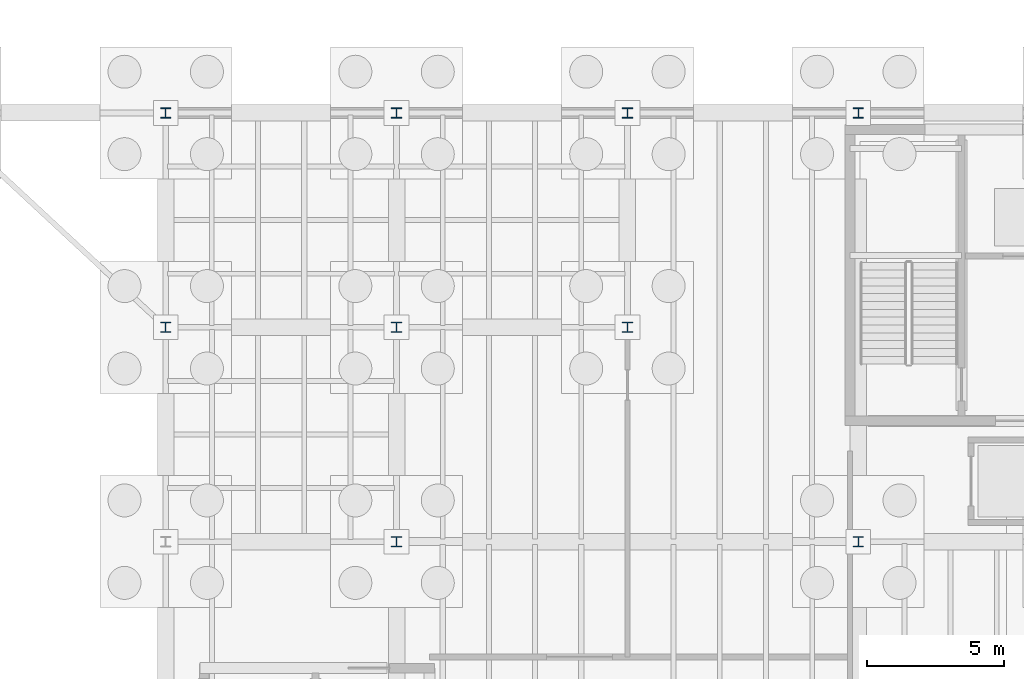
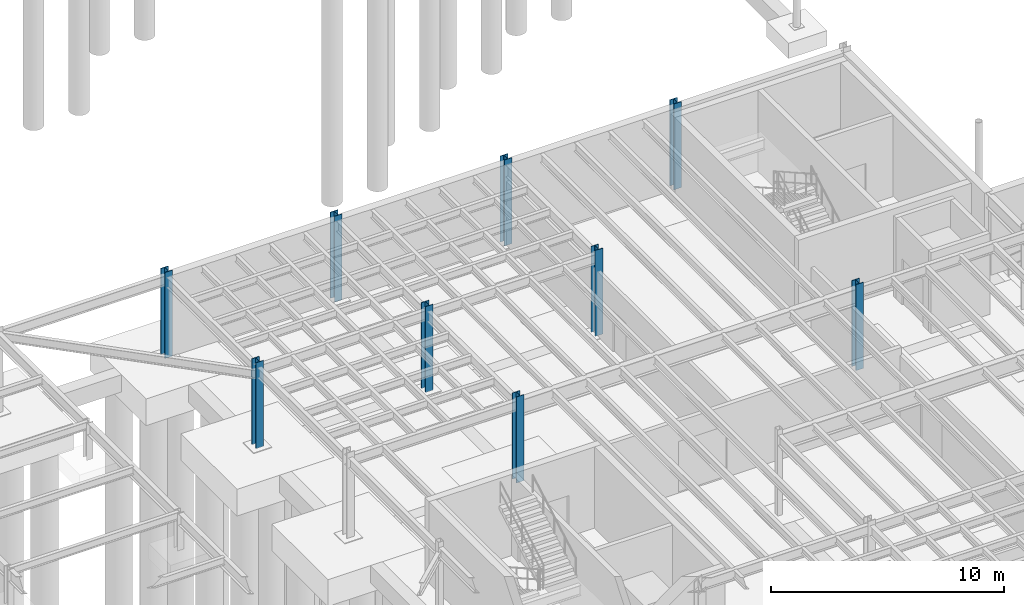
# One storey, part 10 of 41: 9 columns.
"""IFC4 building model written with IfcOpenShell, lengths in metres."""

from ifc_helpers import new_model, si_unit, direction, frame, origin, origin_2d, place, context, subcontext, project, spatial, i_section, extrude, material, material_profile, profile_set, type_object, element, save


model = new_model("IFC4")

# Units and contexts
model_context = context("Model", 3, precision=1e-05, world=origin(), true_north=direction((0.0, 1.0)))
body_context = subcontext(model_context, "Body", "Model", "MODEL_VIEW")
ifc_project = project(units=[si_unit("LENGTHUNIT", "METRE"), si_unit("AREAUNIT", "SQUARE_METRE"), si_unit("VOLUMEUNIT", "CUBIC_METRE"), si_unit("PLANEANGLEUNIT", "RADIAN"), si_unit("MASSUNIT", "GRAM", prefix="KILO")], contexts=[model_context])

# Site, building, storey
site_placement = place(None, origin())
site = spatial("IfcSite", under=ifc_project, at=site_placement, CompositionType="ELEMENT")
building_placement = place(site_placement, origin())
building = spatial("IfcBuilding", under=site, at=building_placement, Name="Selat Folded Stagehouse", CompositionType="ELEMENT")
storey_placement = place(building_placement, frame((0.0, 0.0, -4.5)))
storey = spatial("IfcBuildingStorey", under=building, at=storey_placement, Name="B1", CompositionType="ELEMENT", Elevation=-4.5)

# Columns
ifc_material = material(Name="Steel S355", Category="steel")
ifc_material_profile = material_profile(ifc_material, i_section(OverallWidth=0.374755859375, OverallDepth=0.37451171875, WebThickness=0.0166015625, FlangeThickness=0.027099609375, FilletRadius=0.01513671875, at=origin_2d()), Name="UKC 356x368x202")
ifc_profile_set = profile_set([ifc_material_profile], Name="Steel S355")
column_type = type_object("IfcColumnType", Name="COL-UKC-356x368x202", PredefinedType="COLUMN", material=ifc_profile_set)
for number, where, z_axis, x_axis, name in (
    (1, (33.60009765625, 46.800048828125, 0.0), (0.0, 0.0, 1.0), (1.0, 0.0, 0.0), "B1 column STK-V2-09"),
    (2, (33.60009765625, 54.60009765625, 0.0), (0.0, 0.0, 1.0), (1.0, 0.0, 0.0), "B1 column STK-V2-10"),
    (3, (42.0, 39.0, 0.0), (0.0, 0.0, 1.0), (1.0, 0.0, 0.0), "B1 column STK-V2-12"),
    (4, (42.0, 46.800048828125, 0.0), (0.0, 0.0, 1.0), (1.0, 0.0, 0.0), "B1 column STK-V2-13"),
    (5, (42.0, 54.60009765625, 0.0), (0.0, 0.0, 1.0), (1.0, 0.0, 0.0), "B1 column STK-V2-14"),
    (6, (50.39990234375, 46.800048828125, 0.0), (0.0, 0.0, 1.0), (1.0, 0.0, 0.0), "B1 column STK-V2-16"),
    (7, (50.39990234375, 54.60009765625, 0.0), (0.0, 0.0, 1.0), (1.0, 0.0, 0.0), "B1 column STK-V2-17"),
    (8, (58.800048828125, 39.0, 0.0), (0.0, 0.0, 1.0), (1.0, 0.0, 0.0), "B1 column STK-V2-19"),
    (9, (58.800048828125, 54.60009765625, 0.0), (0.0, 0.0, 1.0), (1.0, 0.0, 0.0), "B1 column STK-V2-20"),
):
    element("IfcColumn", number, at=place(storey_placement, frame(where, z_axis=z_axis, x_axis=x_axis)), inside=storey, type_object=column_type, Name=name, PredefinedType="COLUMN", context=body_context, shape_type="SweptSolid", body=[
        extrude(i_section(OverallWidth=0.374755859375, OverallDepth=0.37451171875, WebThickness=0.0166015625, FlangeThickness=0.027099609375, FilletRadius=0.01513671875, at=origin_2d()), origin(), (0.0, 0.0, 1.0), 4.5),
    ])

save(model, "model.ifc")
